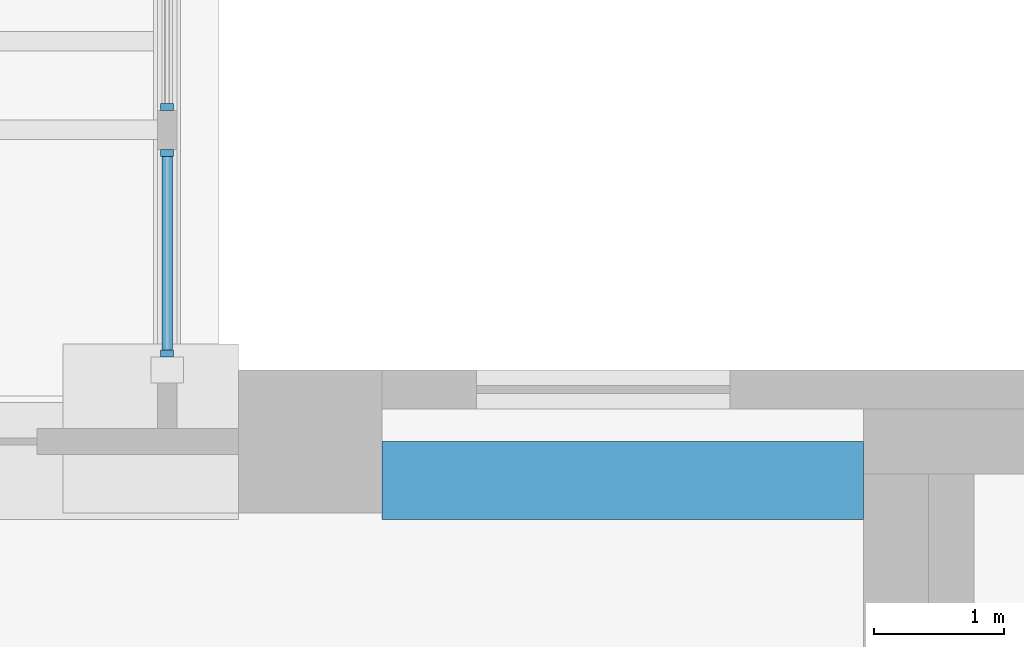
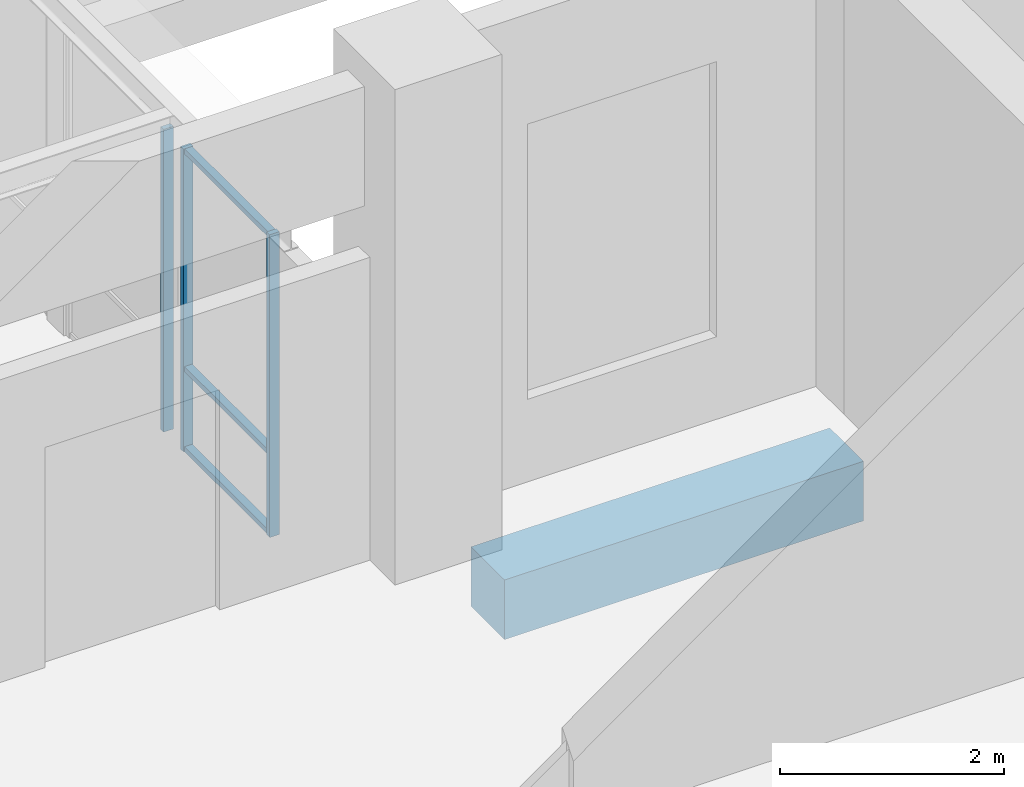
# One storey, part 8 of 52: 6 members, 1 beam, 2 elements without a shape of their own.
"""IFC4 building model written with IfcOpenShell, lengths in metres."""

import ifcopenshell
import ifcopenshell.guid

model = None  # the IFC model being written
_history = None  # IfcOwnerHistory: only IFC2X3 demands one
_inside = {}  # id of a spatial element -> (the spatial element, [elements in it])
_under = {}  # id of a project, library or spatial element -> (it, [spatial elements below it])
_declared = {}  # id of a project -> (the project, [libraries it declares])
_typed = {}  # id of a type object -> (the type object, [elements of that type])
_made_of = {}  # id of a material, layer set ... -> (it, [elements and type objects made of it])


def new_model(schema):
    """Start an empty IFC model of exactly this schema.

    Asked for "IFC4X3", IfcOpenShell would pick the latest addendum, in which some entities
    have other attributes; the version numbers below select the first issue.
    IFC2X3 requires an IfcOwnerHistory on every rooted entity: one is made here for all.
    """
    global model, _history
    if schema == "IFC4X3":
        model = ifcopenshell.file(schema_version=(4, 3, 0, 0))
    else:
        model = ifcopenshell.file(schema=schema)
    _inside.clear()
    _under.clear()
    _declared.clear()
    _typed.clear()
    _made_of.clear()
    _history = None
    if model.schema == "IFC2X3":
        org = make("IfcOrganization", Name="unknown")
        user = make(
            "IfcPersonAndOrganization",
            ThePerson=make("IfcPerson", FamilyName="unknown"),
            TheOrganization=org,
        )
        app = make(
            "IfcApplication",
            ApplicationDeveloper=org,
            Version="unknown",
            ApplicationFullName="unknown",
            ApplicationIdentifier="unknown",
        )
        _history = make(
            "IfcOwnerHistory",
            OwningUser=user,
            OwningApplication=app,
            ChangeAction="ADDED",
            CreationDate=0,
        )
    return model


def make(cls, **values):
    """One entity of the class cls with the attributes given. An attribute that is None is left unset."""
    return model.create_entity(
        cls, **{name: value for name, value in values.items() if value is not None}
    )


def rooted(cls, **values):
    """An entity with a GlobalId (a new one), such as an element, a storey or a relation."""
    return make(cls, GlobalId=ifcopenshell.guid.new(), OwnerHistory=_history, **values)


def si_unit(unit_type, name, prefix=None):
    """IfcSIUnit, for example si_unit("LENGTHUNIT", "METRE", prefix="MILLI")."""
    return make("IfcSIUnit", UnitType=unit_type, Prefix=prefix, Name=name)


def assignment(units):
    """IfcUnitAssignment: the units of a project."""
    return None if units is None else make("IfcUnitAssignment", Units=units)


def point(xyz):
    """IfcCartesianPoint."""
    return None if xyz is None else make("IfcCartesianPoint", Coordinates=xyz)


def direction(xyz):
    """IfcDirection."""
    return None if xyz is None else make("IfcDirection", DirectionRatios=xyz)


def frame(location, z_axis=None, x_axis=None):
    """IfcAxis2Placement3D, a coordinate frame: its origin and axes. An axis left out is left unset."""
    return make(
        "IfcAxis2Placement3D",
        Location=point(location),
        Axis=direction(z_axis),
        RefDirection=direction(x_axis),
    )


def frame_2d(location, x_axis=None):
    """IfcAxis2Placement2D, a coordinate frame in the plane: its origin and x axis."""
    return make(
        "IfcAxis2Placement2D", Location=point(location), RefDirection=direction(x_axis)
    )


def origin():
    """The frame at (0, 0, 0) with its axes left unset."""
    return frame((0.0, 0.0, 0.0))


def origin_2d():
    """The frame at (0, 0) in the plane with its x axis left unset."""
    return frame_2d((0.0, 0.0))


def place(relative_to, where):
    """IfcLocalPlacement: puts the frame where relative to a parent placement (None: the world)."""
    return make(
        "IfcLocalPlacement", PlacementRelTo=relative_to, RelativePlacement=where
    )


def context(
    kind, dimensions, precision=None, world=None, true_north=None, identifier=None
):
    """IfcGeometricRepresentationContext, for example the 3D "Model" context."""
    return make(
        "IfcGeometricRepresentationContext",
        ContextIdentifier=identifier,
        ContextType=kind,
        CoordinateSpaceDimension=dimensions,
        Precision=precision,
        WorldCoordinateSystem=world,
        TrueNorth=true_north,
    )


def subcontext(parent, identifier, kind, view, scale=None):
    """IfcGeometricRepresentationSubContext, for example "Body" below "Model"."""
    return make(
        "IfcGeometricRepresentationSubContext",
        ContextIdentifier=identifier,
        ContextType=kind,
        ParentContext=parent,
        TargetScale=scale,
        TargetView=view,
    )


def project(units=None, contexts=None):
    """IfcProject with its units and contexts."""
    return rooted(
        "IfcProject",
        Name="project",
        RepresentationContexts=contexts,
        UnitsInContext=assignment(units),
    )


def spatial(cls, under=None, at=None, **own):
    """A site, building, storey or space (cls), placed at a placement, below another one or the project."""
    s = rooted(cls, ObjectPlacement=at, **own)
    if under is not None:
        _under.setdefault(under.id(), (under, []))[1].append(s)
    return s


def profile(cls, at=None, kind="AREA", **sizes):
    """A parametric profile (cls). Its sizes go by their IFC names, for example OverallWidth=200.0."""
    return make(cls, ProfileType=kind, Position=at, **sizes)


def rectangle(**sizes):
    """IfcRectangleProfileDef."""
    return profile("IfcRectangleProfileDef", **sizes)


def extrude(swept, where, along, depth):
    """IfcExtrudedAreaSolid: the profile swept, set in the frame where, extruded along a direction by depth."""
    return make(
        "IfcExtrudedAreaSolid",
        SweptArea=swept,
        Position=where,
        ExtrudedDirection=direction(along),
        Depth=depth,
    )


def shape(context_of_items, identifier, shape_type, items):
    """IfcShapeRepresentation: the items that make up one representation, for example the "Body"."""
    return make(
        "IfcShapeRepresentation",
        ContextOfItems=context_of_items,
        RepresentationIdentifier=identifier,
        RepresentationType=shape_type,
        Items=items,
    )


def material(Name=None, Category=None):
    """IfcMaterial."""
    return make("IfcMaterial", Name=Name, Category=Category)


def layer(
    of_material, thickness, ventilated=None, Name=None, Category=None, Priority=None
):
    """IfcMaterialLayer: one layer of a wall or slab, of a material (None: an air gap)."""
    return make(
        "IfcMaterialLayer",
        Material=of_material,
        LayerThickness=thickness,
        IsVentilated=ventilated,
        Name=Name,
        Category=Category,
        Priority=Priority,
    )


def layer_set(layers, Name=None):
    """IfcMaterialLayerSet."""
    return make("IfcMaterialLayerSet", MaterialLayers=layers, LayerSetName=Name)


def material_profile(
    of_material, cross_section, Name=None, Category=None, Priority=None
):
    """IfcMaterialProfile: a cross section and its material."""
    return make(
        "IfcMaterialProfile",
        Name=Name,
        Material=of_material,
        Profile=cross_section,
        Priority=Priority,
        Category=Category,
    )


def profile_set(profiles, Name=None, composite=None):
    """IfcMaterialProfileSet."""
    return make(
        "IfcMaterialProfileSet",
        Name=Name,
        MaterialProfiles=profiles,
        CompositeProfile=composite,
    )


def made_of(thing, what):
    """Note that an element or type object is made of a material, layer set ...; save() writes the relation."""
    if what is not None:
        _made_of.setdefault(what.id(), (what, []))[1].append(thing)
    return thing


def type_object(cls, material=None, **own):
    """A type object (cls), such as IfcWallType, which elements share."""
    return made_of(rooted(cls, **own), material)


def element(
    cls,
    number,
    at=None,
    inside=None,
    cuts=None,
    type_object=None,
    material=None,
    context=None,
    identifier="Body",
    shape_type=None,
    held_by="IfcProductDefinitionShape",
    body=None,
    shapes=None,
    **own,
):
    """One element of the class cls, such as IfcWall. Its Tag is "e" and its number.

    at: its placement. inside: the storey or other place that contains it. cuts: it is an
    opening in that element (IfcRelVoidsElement). A single representation is given by context,
    identifier, shape_type and body (its items); several are given by shapes. held_by: the class
    of the entity that holds the representations. save() writes the other relations.
    """
    e = rooted(cls, Tag="e%d" % number, ObjectPlacement=at, **own)
    if body is not None:
        shapes = [shape(context, identifier, shape_type, body)]
    if shapes is not None:
        e.Representation = make(held_by, Representations=shapes)
    if inside is not None:
        _inside.setdefault(inside.id(), (inside, []))[1].append(e)
    if cuts is not None:
        rooted(
            "IfcRelVoidsElement", RelatingBuildingElement=cuts, RelatedOpeningElement=e
        )
    if type_object is not None:
        _typed.setdefault(type_object.id(), (type_object, []))[1].append(e)
    return made_of(e, material)


def aggregate(whole, parts):
    """IfcRelAggregates: a whole, such as a stair, and the parts it consists of."""
    return rooted("IfcRelAggregates", RelatingObject=whole, RelatedObjects=parts)


def save(model, path):
    """Write the relations noted so far, then the file.

    IfcRelAggregates (storeys below a building ...), IfcRelContainedInSpatialStructure (elements
    in a storey), IfcRelDefinesByType, IfcRelAssociatesMaterial and IfcRelDeclares: one each for
    every whole, place, type object, material and project.
    """
    for whole, parts in _under.values():
        aggregate(whole, parts)
    for where, things in _inside.values():
        rooted(
            "IfcRelContainedInSpatialStructure",
            RelatedElements=things,
            RelatingStructure=where,
        )
    for kind, things in _typed.values():
        rooted("IfcRelDefinesByType", RelatedObjects=things, RelatingType=kind)
    for what, things in _made_of.values():
        rooted("IfcRelAssociatesMaterial", RelatedObjects=things, RelatingMaterial=what)
    for by, libraries in _declared.values():
        rooted("IfcRelDeclares", RelatingContext=by, RelatedDefinitions=libraries)
    model.write(path)


model = new_model("IFC4")

# Units and contexts
model_context = context("Model", 3, precision=1e-05, world=origin(), true_north=direction((0.0, 1.0)))
body_context = subcontext(model_context, "Body", "Model", "MODEL_VIEW")
ifc_project = project(units=[si_unit("LENGTHUNIT", "METRE"), si_unit("AREAUNIT", "SQUARE_METRE"), si_unit("VOLUMEUNIT", "CUBIC_METRE"), si_unit("PLANEANGLEUNIT", "RADIAN"), si_unit("MASSUNIT", "GRAM", prefix="KILO")], contexts=[model_context])

# Site, building, storey
site_placement = place(None, origin())
site = spatial("IfcSite", under=ifc_project, at=site_placement, CompositionType="ELEMENT")
building_placement = place(site_placement, origin())
building = spatial("IfcBuilding", under=site, at=building_placement, Name="Aurelan Courthouse", CompositionType="ELEMENT")
storey_placement = place(building_placement, frame((0.0, 0.0, 6.60009765625)))
storey = spatial("IfcBuildingStorey", under=building, at=storey_placement, Name="L01", CompositionType="ELEMENT", Elevation=6.60009765625)

# Curtain wall, members
ifc_material_1 = material(Name="Bronze-finished aluminium and glass", Category="aluminium")
ifc_layer_1 = layer(ifc_material_1, 0.1201171875)
ifc_layer_set_1 = layer_set([ifc_layer_1], Name="Bronze-finished aluminium and glass")
curtain_wall_type_1 = type_object("IfcCurtainWallType", Name="Passage glazing 1594 x 3300", PredefinedType="NOTDEFINED", material=ifc_layer_set_1)
curtain_wall_1_placement = place(storey_placement, origin())
curtain_wall_1 = element("IfcCurtainWall", 1, at=curtain_wall_1_placement, inside=storey, type_object=curtain_wall_type_1, Name="Curtain wall CW-L01-BR305", PredefinedType="NOTDEFINED")
ifc_material_2 = material(Name="Bronze-finished aluminium", Category="aluminium")
ifc_material_profile_1 = material_profile(ifc_material_2, rectangle(XDim=0.10009765625, YDim=0.054931640625, at=origin_2d()), Name="Passage glazing mullion 55 x 100")
ifc_profile_set_1 = profile_set([ifc_material_profile_1], Name="Bronze-finished aluminium")
member_type_1 = type_object("IfcMemberType", Name="Passage glazing mullion 55 x 100", PredefinedType="MULLION", material=ifc_profile_set_1)
member_1_placement = place(storey_placement, frame((52.89990234375, 29.177490234375, 0.0), z_axis=(0.0, 0.0, 1.0), x_axis=(-1.0, 0.0, 0.0)))
member_1 = element("IfcMember", 2, at=member_1_placement, type_object=member_type_1, Name="CW-L01-BR305 mullion 1", PredefinedType="MULLION", context=body_context, shape_type="SweptSolid", body=[
    extrude(rectangle(XDim=0.10009765625, YDim=0.054931640625, at=origin_2d()), origin(), (0.0, 0.0, 1.0), 3.2998046875),
])
member_2_placement = place(storey_placement, frame((52.89990234375, 30.71630859375, 0.0), z_axis=(0.0, 0.0, 1.0), x_axis=(-1.0, 0.0, 0.0)))
member_2 = element("IfcMember", 3, at=member_2_placement, type_object=member_type_1, Name="CW-L01-BR305 mullion 2", PredefinedType="MULLION", context=body_context, shape_type="SweptSolid", body=[
    extrude(rectangle(XDim=0.10009765625, YDim=0.054931640625, at=origin_2d()), origin(), (0.0, 0.0, 1.0), 3.2998046875),
])

# Curtain wall, member
ifc_layer_2 = layer(ifc_material_1, 0.1201171875)
ifc_layer_set_2 = layer_set([ifc_layer_2], Name="Bronze-finished aluminium and glass")
curtain_wall_type_2 = type_object("IfcCurtainWallType", Name="Passage glazing 1744 x 3300", PredefinedType="NOTDEFINED", material=ifc_layer_set_2)
curtain_wall_2_placement = place(storey_placement, origin())
curtain_wall_2 = element("IfcCurtainWall", 4, at=curtain_wall_2_placement, inside=storey, type_object=curtain_wall_type_2, Name="Curtain wall CW-L01-BR306", PredefinedType="NOTDEFINED")
member_3_placement = place(storey_placement, frame((52.89990234375, 31.0712890625, 0.0), z_axis=(0.0, 0.0, 1.0), x_axis=(-1.0, 0.0, 0.0)))
member_3 = element("IfcMember", 5, at=member_3_placement, type_object=member_type_1, Name="CW-L01-BR306 mullion 1", PredefinedType="MULLION", context=body_context, shape_type="SweptSolid", body=[
    extrude(rectangle(XDim=0.10009765625, YDim=0.054931640625, at=origin_2d()), origin(), (0.0, 0.0, 1.0), 3.2998046875),
])
aggregate(curtain_wall_2, [member_3])

# Member
ifc_material_profile_2 = material_profile(ifc_material_2, rectangle(XDim=0.080078125, YDim=0.054931640625, at=origin_2d()), Name="Passage glazing transom 55 x 80")
ifc_profile_set_2 = profile_set([ifc_material_profile_2], Name="Bronze-finished aluminium")
member_type_2 = type_object("IfcMemberType", Name="Passage glazing transom 55 x 80", PredefinedType="USERDEFINED", material=ifc_profile_set_2)
member_4_placement = place(storey_placement, frame((52.89990234375, 29.205078125, 0.02734375), z_axis=(0.0, 1.0, 0.0), x_axis=(-1.0, 0.0, 0.0)))
member_4 = element("IfcMember", 6, at=member_4_placement, type_object=member_type_2, Name="CW-L01-BR305 transom 1.1", ObjectType="TRANSOM", PredefinedType="USERDEFINED", context=body_context, shape_type="SweptSolid", body=[
    extrude(rectangle(XDim=0.080078125, YDim=0.054931640625, at=origin_2d()), origin(), (0.0, 0.0, 1.0), 1.483642578125),
])

member_5_placement = place(storey_placement, frame((52.89990234375, 29.205078125, 0.89990234375), z_axis=(0.0, 1.0, 0.0), x_axis=(-1.0, 0.0, 0.0)))
member_5 = element("IfcMember", 7, at=member_5_placement, type_object=member_type_2, Name="CW-L01-BR305 transom 1.2", ObjectType="TRANSOM", PredefinedType="USERDEFINED", context=body_context, shape_type="SweptSolid", body=[
    extrude(rectangle(XDim=0.080078125, YDim=0.054931640625, at=origin_2d()), origin(), (0.0, 0.0, 1.0), 1.483642578125),
])

member_6_placement = place(storey_placement, frame((52.89990234375, 29.205078125, 3.2724609375), z_axis=(0.0, 1.0, 0.0), x_axis=(-1.0, 0.0, 0.0)))
member_6 = element("IfcMember", 8, at=member_6_placement, type_object=member_type_2, Name="CW-L01-BR305 transom 1.3", ObjectType="TRANSOM", PredefinedType="USERDEFINED", context=body_context, shape_type="SweptSolid", body=[
    extrude(rectangle(XDim=0.080078125, YDim=0.054931640625, at=origin_2d()), origin(), (0.0, 0.0, 1.0), 1.483642578125),
])

aggregate(curtain_wall_1, [member_1, member_2, member_4, member_5, member_6])

# Beam
ifc_material_3 = material(Name="Concrete C50", Category="concrete")
ifc_material_profile_3 = material_profile(ifc_material_3, rectangle(XDim=0.60009765625, YDim=0.64990234375, at=origin_2d()), Name="RC 600 x 650")
ifc_profile_set_3 = profile_set([ifc_material_profile_3], Name="Concrete C50")
beam_type = type_object("IfcBeamType", Name="RC spandrel beam 600 x 650", PredefinedType="SPANDREL", material=ifc_profile_set_3)
beam_placement = place(storey_placement, frame((54.550048828125, 28.199951171875, -0.625), z_axis=(1.0, 0.0, 0.0), x_axis=(0.0, 1.0, 0.0)))
element("IfcBeam", 9, at=beam_placement, inside=storey, type_object=beam_type, Name="Spandrel beam SB-C-7-8", PredefinedType="SPANDREL", context=body_context, shape_type="SweptSolid", body=[
    extrude(rectangle(XDim=0.60009765625, YDim=0.64990234375, at=origin_2d()), origin(), (0.0, 0.0, 1.0), 3.699951171875),
])

save(model, "model.ifc")
